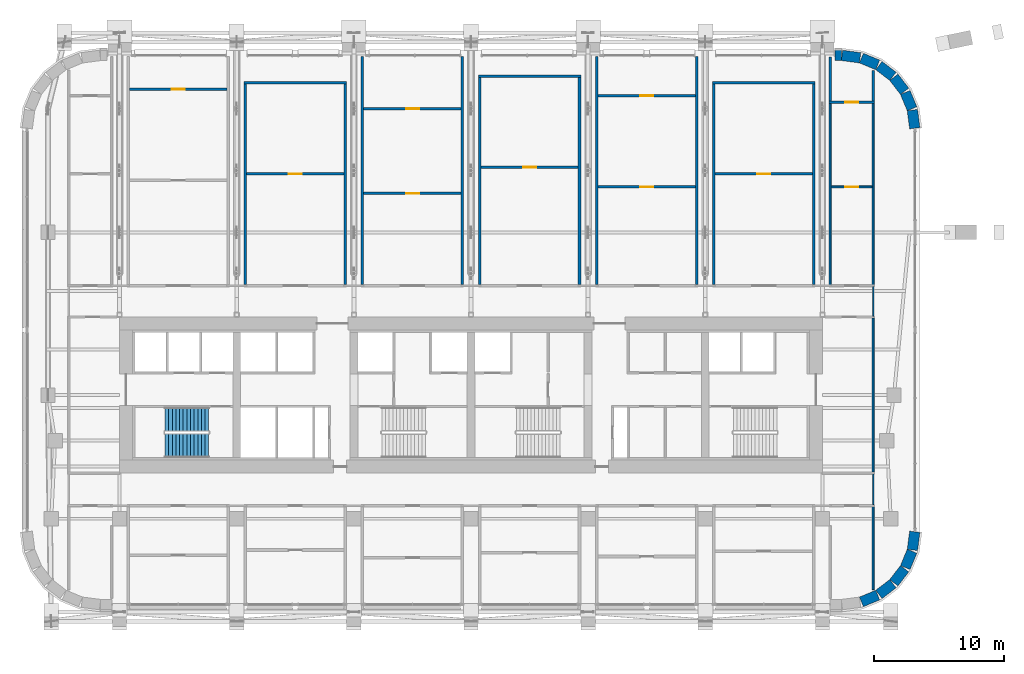
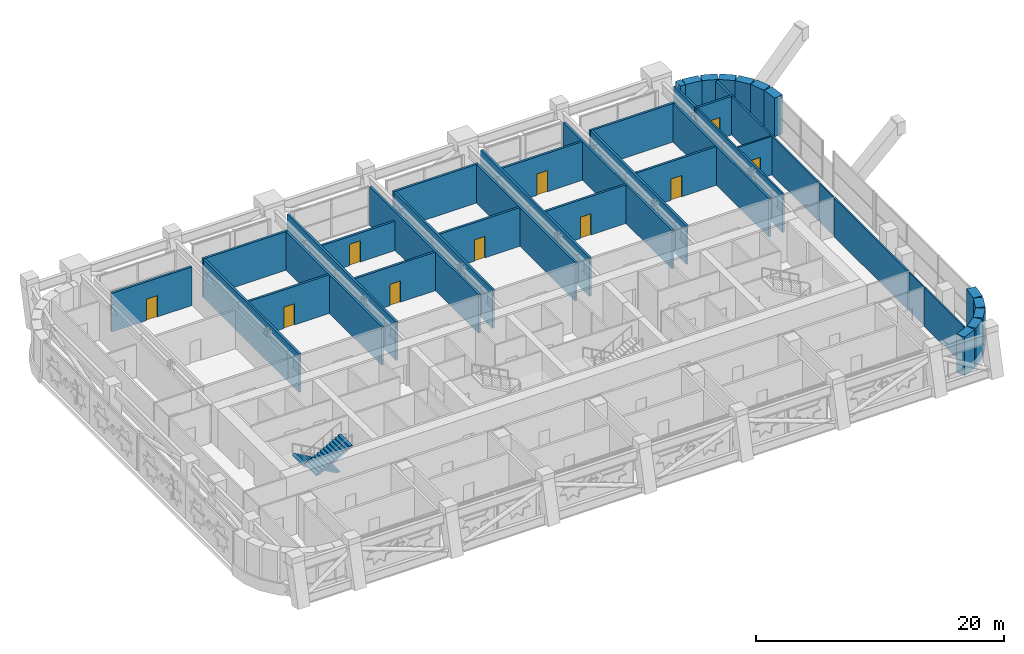
# One storey, part 16 of 27: 43 walls, 10 doors, 2 stair flights, 10 openings, 1 element without a shape of its own.
"""IFC4 building model written with IfcOpenShell, lengths in metres."""

from ifc_helpers import new_model, si_unit, direction, frame, frame_2d, origin, place, context, subcontext, project, spatial, polyline, rectangle, outline, extrude, material, layer, layer_set, type_object, element, fill, aggregate, save


model = new_model("IFC4")

# Units and contexts
model_context = context("Model", 3, precision=1e-05, world=origin(), true_north=direction((0.0, 1.0)))
body_context = subcontext(model_context, "Body", "Model", "MODEL_VIEW")
ifc_project = project(units=[si_unit("LENGTHUNIT", "METRE"), si_unit("AREAUNIT", "SQUARE_METRE"), si_unit("VOLUMEUNIT", "CUBIC_METRE"), si_unit("PLANEANGLEUNIT", "RADIAN"), si_unit("MASSUNIT", "GRAM", prefix="KILO")], contexts=[model_context])

# Site, building, storey
site_placement = place(None, origin())
site = spatial("IfcSite", under=ifc_project, at=site_placement, CompositionType="ELEMENT")
building_placement = place(site_placement, origin())
building = spatial("IfcBuilding", under=site, at=building_placement, Name="Zellij Exchange Tower", CompositionType="ELEMENT")
storey_placement = place(building_placement, frame((0.0, 0.0, 104.5)))
storey = spatial("IfcBuildingStorey", under=building, at=storey_placement, Name="L22", CompositionType="ELEMENT", Elevation=104.5)

# Walls
ifc_material_1 = material(Name="Precast concrete C40/50", Category="concrete")
ifc_layer_1 = layer(ifc_material_1, 0.800048828125)
ifc_layer_set_1 = layer_set([ifc_layer_1], Name="Precast concrete C40/50")
wall_type_1 = type_object("IfcWallType", Name="ENV-EW1 Precast stone-piered wall 800", PredefinedType="SOLIDWALL", material=ifc_layer_set_1)
wall_1_placement = place(storey_placement, frame((29.997314453125, -23.8857421875, 0.0), z_axis=(0.0, 0.0, 1.0), x_axis=(0.923847774587, 0.38276009378, 0.0)))
element("IfcWall", 1, at=wall_1_placement, inside=storey, type_object=wall_type_1, Name="fac.L22.02", PredefinedType="SOLIDWALL", context=body_context, shape_type="SweptSolid", body=[
    extrude(rectangle(XDim=1.35546875, YDim=0.800048828125, at=frame_2d((0.677734375, 0.0))), origin(), (0.0, 0.0, 1.0), 3.800048828125),
])
for number, where, z_axis, x_axis, name in (
    (2, (31.340087890625, -23.314697265625, 0.0), (0.0, 0.0, 1.0), (0.793272915452, 0.608866226366, 0.0), "fac.L22.03"),
    (3, (32.4892578125, -22.41552734375, 0.0), (0.0, 0.0, 1.0), (0.608866226366, 0.793272915452, 0.0), "fac.L22.04"),
):
    element("IfcWall", number, at=place(storey_placement, frame(where, z_axis=z_axis, x_axis=x_axis)), inside=storey, type_object=wall_type_1, Name=name, PredefinedType="SOLIDWALL", context=body_context, shape_type="SweptSolid", body=[
        extrude(rectangle(XDim=1.355712890625, YDim=0.800048828125, at=frame_2d((0.677734375, 0.0))), origin(), (0.0, 0.0, 1.0), 3.800048828125),
    ])
wall_2_placement = place(storey_placement, frame((33.366943359375, -21.24951171875, 0.0), z_axis=(0.0, 0.0, 1.0), x_axis=(0.38276009378, 0.923847774587, 0.0)))
element("IfcWall", 4, at=wall_2_placement, inside=storey, type_object=wall_type_1, Name="fac.L22.05", PredefinedType="SOLIDWALL", context=body_context, shape_type="SweptSolid", body=[
    extrude(rectangle(XDim=1.35546875, YDim=0.800048828125, at=frame_2d((0.677734375, 0.0))), origin(), (0.0, 0.0, 1.0), 3.800048828125),
])
for number, where, z_axis, x_axis, name in (
    (5, (33.912841796875, -19.896240234375, 0.0), (0.0, 0.0, 1.0), (0.130517283865, 0.99144603414, 0.0), "fac.L22.06"),
    (6, (34.0966796875, 12.499755859375, 0.0), (0.0, 0.0, 1.0), (-0.130517283865, 0.99144603414, 0.0), "fac.L22.08"),
):
    element("IfcWall", number, at=place(storey_placement, frame(where, z_axis=z_axis, x_axis=x_axis)), inside=storey, type_object=wall_type_1, Name=name, PredefinedType="SOLIDWALL", context=body_context, shape_type="SweptSolid", body=[
        extrude(rectangle(XDim=1.408447265625, YDim=0.800048828125, at=frame_2d((0.7041015625, 0.0))), origin(), (0.0, 0.0, 1.0), 3.800048828125),
    ])
wall_3_placement = place(storey_placement, frame((33.8857421875, 13.997314453125, 0.0), z_axis=(0.0, 0.0, 1.0), x_axis=(-0.38276009378, 0.923847774587, 0.0)))
element("IfcWall", 7, at=wall_3_placement, inside=storey, type_object=wall_type_1, Name="fac.L22.09", PredefinedType="SOLIDWALL", context=body_context, shape_type="SweptSolid", body=[
    extrude(rectangle(XDim=1.35546875, YDim=0.800048828125, at=frame_2d((0.677734375, 0.0))), origin(), (0.0, 0.0, 1.0), 3.800048828125),
])
for number, where, z_axis, x_axis, name in (
    (8, (33.314697265625, 15.340087890625, 0.0), (0.0, 0.0, 1.0), (-0.608866226366, 0.793272915452, 0.0), "fac.L22.10"),
    (9, (32.41552734375, 16.4892578125, 0.0), (0.0, 0.0, 1.0), (-0.793272915452, 0.608866226366, 0.0), "fac.L22.11"),
):
    element("IfcWall", number, at=place(storey_placement, frame(where, z_axis=z_axis, x_axis=x_axis)), inside=storey, type_object=wall_type_1, Name=name, PredefinedType="SOLIDWALL", context=body_context, shape_type="SweptSolid", body=[
        extrude(rectangle(XDim=1.355712890625, YDim=0.800048828125, at=frame_2d((0.677734375, 0.0))), origin(), (0.0, 0.0, 1.0), 3.800048828125),
    ])
wall_4_placement = place(storey_placement, frame((31.24951171875, 17.366943359375, 0.0), z_axis=(0.0, 0.0, 1.0), x_axis=(-0.923847774587, 0.38276009378, 0.0)))
element("IfcWall", 10, at=wall_4_placement, inside=storey, type_object=wall_type_1, Name="fac.L22.12", PredefinedType="SOLIDWALL", context=body_context, shape_type="SweptSolid", body=[
    extrude(rectangle(XDim=1.35546875, YDim=0.800048828125, at=frame_2d((0.677734375, 0.0))), origin(), (0.0, 0.0, 1.0), 3.800048828125),
])
wall_5_placement = place(storey_placement, frame((29.896240234375, 17.912841796875, 0.0), z_axis=(0.0, 0.0, 1.0), x_axis=(-0.99144603414, 0.130517283865, 0.0)))
element("IfcWall", 11, at=wall_5_placement, inside=storey, type_object=wall_type_1, Name="fac.L22.13", PredefinedType="SOLIDWALL", context=body_context, shape_type="SweptSolid", body=[
    extrude(rectangle(XDim=1.408447265625, YDim=0.800048828125, at=frame_2d((0.7041015625, 0.0))), origin(), (0.0, 0.0, 1.0), 3.800048828125),
])
wall_6_placement = place(storey_placement, frame((28.447509765625, 18.10009765625, 0.0), z_axis=(0.0, 0.0, 1.0), x_axis=(-1.0, 0.0, 0.0)))
element("IfcWall", 12, at=wall_6_placement, inside=storey, type_object=wall_type_1, Name="fac.L22.14a", PredefinedType="SOLIDWALL", context=body_context, shape_type="SweptSolid", body=[
    extrude(rectangle(XDim=0.49755859375, YDim=0.800048828125, at=frame_2d((0.248779296875, 0.0))), origin(), (0.0, 0.0, 1.0), 3.800048828125),
])
ifc_material_2 = material(Name="Blockwork fire wall", Category="masonry")
ifc_layer_2 = layer(ifc_material_2, 0.199951171875)
ifc_layer_set_2 = layer_set([ifc_layer_2], Name="Blockwork fire wall")
wall_type_2 = type_object("IfcWallType", Name="FIT-BLOCKWORK-200-EI120", PredefinedType="PARTITIONING", material=ifc_layer_set_2)
for number, where, z_axis, x_axis, name in (
    (13, (-17.340087890625, 0.5, 0.0), (0.0, 0.0, 1.0), (0.0, 1.0, 0.0), "FIT-BLOCKWORK-200-EI120 057"),
    (14, (-9.659912109375, 0.5, 0.0), (0.0, 0.0, 1.0), (0.0, 1.0, 0.0), "FIT-BLOCKWORK-200-EI120 059"),
):
    element("IfcWall", number, at=place(storey_placement, frame(where, z_axis=z_axis, x_axis=x_axis)), inside=storey, type_object=wall_type_2, Name=name, PredefinedType="PARTITIONING", context=body_context, shape_type="SweptSolid", body=[
        extrude(rectangle(XDim=15.39990234375, YDim=0.199951171875, at=frame_2d((7.699951171875, 0.0))), origin(), (0.0, 0.0, 1.0), 3.800048828125),
    ])
for number, where, z_axis, x_axis, name in (
    (15, (-8.340087890625, 0.5, 0.0), (0.0, 0.0, 1.0), (0.0, 1.0, 0.0), "FIT-BLOCKWORK-200-EI120 061"),
    (16, (-0.659912109375, 0.5, 0.0), (0.0, 0.0, 1.0), (0.0, 1.0, 0.0), "FIT-BLOCKWORK-200-EI120 063"),
):
    element("IfcWall", number, at=place(storey_placement, frame(where, z_axis=z_axis, x_axis=x_axis)), inside=storey, type_object=wall_type_2, Name=name, PredefinedType="PARTITIONING", context=body_context, shape_type="SweptSolid", body=[
        extrude(rectangle(XDim=17.5, YDim=0.199951171875, at=frame_2d((8.75, 0.0))), origin(), (0.0, 0.0, 1.0), 3.800048828125),
    ])
for number, where, z_axis, x_axis, name in (
    (17, (0.659912109375, 0.5, 0.0), (0.0, 0.0, 1.0), (0.0, 1.0, 0.0), "FIT-BLOCKWORK-200-EI120 065"),
    (18, (8.340087890625, 0.5, 0.0), (0.0, 0.0, 1.0), (0.0, 1.0, 0.0), "FIT-BLOCKWORK-200-EI120 067"),
):
    element("IfcWall", number, at=place(storey_placement, frame(where, z_axis=z_axis, x_axis=x_axis)), inside=storey, type_object=wall_type_2, Name=name, PredefinedType="PARTITIONING", context=body_context, shape_type="SweptSolid", body=[
        extrude(rectangle(XDim=15.89990234375, YDim=0.199951171875, at=frame_2d((7.949951171875, 0.0))), origin(), (0.0, 0.0, 1.0), 3.800048828125),
    ])
for number, where, z_axis, x_axis, name in (
    (19, (9.659912109375, 0.5, 0.0), (0.0, 0.0, 1.0), (0.0, 1.0, 0.0), "FIT-BLOCKWORK-200-EI120 069"),
    (20, (17.340087890625, 0.5, 0.0), (0.0, 0.0, 1.0), (0.0, 1.0, 0.0), "FIT-BLOCKWORK-200-EI120 071"),
):
    element("IfcWall", number, at=place(storey_placement, frame(where, z_axis=z_axis, x_axis=x_axis)), inside=storey, type_object=wall_type_2, Name=name, PredefinedType="PARTITIONING", context=body_context, shape_type="SweptSolid", body=[
        extrude(rectangle(XDim=17.5, YDim=0.199951171875, at=frame_2d((8.75, 0.0))), origin(), (0.0, 0.0, 1.0), 3.800048828125),
    ])
for number, where, z_axis, x_axis, name in (
    (21, (18.659912109375, 0.5, 0.0), (0.0, 0.0, 1.0), (0.0, 1.0, 0.0), "FIT-BLOCKWORK-200-EI120 073"),
    (22, (26.340087890625, 0.5, 0.0), (0.0, 0.0, 1.0), (0.0, 1.0, 0.0), "FIT-BLOCKWORK-200-EI120 075"),
):
    element("IfcWall", number, at=place(storey_placement, frame(where, z_axis=z_axis, x_axis=x_axis)), inside=storey, type_object=wall_type_2, Name=name, PredefinedType="PARTITIONING", context=body_context, shape_type="SweptSolid", body=[
        extrude(rectangle(XDim=15.39990234375, YDim=0.199951171875, at=frame_2d((7.699951171875, 0.0))), origin(), (0.0, 0.0, 1.0), 3.800048828125),
    ])

# Wall, opening, door
wall_7_placement = place(storey_placement, frame((-8.239990234375, 7.5, 0.0), z_axis=(0.0, 0.0, 1.0), x_axis=(1.0, 0.0, 0.0)))
wall_7 = element("IfcWall", 23, at=wall_7_placement, inside=storey, type_object=wall_type_2, Name="FIT-BLOCKWORK-200-EI120 079", PredefinedType="PARTITIONING", context=body_context, shape_type="SweptSolid", body=[
    extrude(rectangle(XDim=7.47998046875, YDim=0.199951171875, at=frame_2d((3.739990234375, 0.0))), origin(), (0.0, 0.0, 1.0), 3.800048828125),
])
opening_1_placement = place(wall_7_placement, frame((3.25, 0.0, 0.0)))
opening_1 = element("IfcOpeningElement", 24, at=opening_1_placement, cuts=wall_7, Name="Opening PL22.25", PredefinedType="OPENING", context=body_context, shape_type="SweptSolid", body=[
    extrude(rectangle(XDim=1.0, YDim=2.10009765625, at=frame_2d((0.5, 1.050048828125))), frame((0.0, 0.11181640625, 0.0), z_axis=(0.0, -1.0, 0.0), x_axis=(1.0, 0.0, 0.0)), (0.0, 0.0, 1.0), 0.223876953125),
])
ifc_material_3 = material(Name="Steel fire door set", Category="steel")
door_type = type_object("IfcDoorType", Name="FIT-D4-FIRE-1000X2100", OperationType="SINGLE_SWING_LEFT", PredefinedType="DOOR", material=ifc_material_3)
door_1_placement = place(opening_1_placement, origin())
door_1 = element("IfcDoor", 25, at=door_1_placement, inside=storey, type_object=door_type, Name="Door PL22.25", OperationType="SINGLE_SWING_RIGHT", OverallHeight=2.10009765625, OverallWidth=1.0, PredefinedType="DOOR", context=body_context, shape_type="SweptSolid", body=[
    extrude(rectangle(XDim=1.0, YDim=2.10009765625, at=frame_2d((0.5, 1.050048828125))), frame((0.0, 0.02490234375, 0.0), z_axis=(0.0, -1.0, 0.0), x_axis=(1.0, 0.0, 0.0)), (0.0, 0.0, 1.0), 0.050048828125),
])
fill(opening_1, door_1)

wall_8_placement = place(storey_placement, frame((9.760009765625, 8.0, 0.0), z_axis=(0.0, 0.0, 1.0), x_axis=(1.0, 0.0, 0.0)))
wall_8 = element("IfcWall", 26, at=wall_8_placement, inside=storey, type_object=wall_type_2, Name="FIT-BLOCKWORK-200-EI120 080", PredefinedType="PARTITIONING", context=body_context, shape_type="SweptSolid", body=[
    extrude(rectangle(XDim=7.47998046875, YDim=0.199951171875, at=frame_2d((3.739990234375, 0.0))), origin(), (0.0, 0.0, 1.0), 3.800048828125),
])
opening_2_placement = place(wall_8_placement, frame((3.25, 0.0, 0.0)))
opening_2 = element("IfcOpeningElement", 27, at=opening_2_placement, cuts=wall_8, Name="Opening PL22.26", PredefinedType="OPENING", context=body_context, shape_type="SweptSolid", body=[
    extrude(rectangle(XDim=1.0, YDim=2.10009765625, at=frame_2d((0.5, 1.050048828125))), frame((0.0, 0.11181640625, 0.0), z_axis=(0.0, -1.0, 0.0), x_axis=(1.0, 0.0, 0.0)), (0.0, 0.0, 1.0), 0.223876953125),
])
door_2_placement = place(opening_2_placement, origin())
door_2 = element("IfcDoor", 28, at=door_2_placement, inside=storey, type_object=door_type, Name="Door PL22.26", OperationType="SINGLE_SWING_RIGHT", OverallHeight=2.10009765625, OverallWidth=1.0, PredefinedType="DOOR", context=body_context, shape_type="SweptSolid", body=[
    extrude(rectangle(XDim=1.0, YDim=2.10009765625, at=frame_2d((0.5, 1.050048828125))), frame((0.0, 0.02490234375, 0.0), z_axis=(0.0, -1.0, 0.0), x_axis=(1.0, 0.0, 0.0)), (0.0, 0.0, 1.0), 0.050048828125),
])
fill(opening_2, door_2)

wall_9_placement = place(storey_placement, frame((-17.239990234375, 9.0, 0.0), z_axis=(0.0, 0.0, 1.0), x_axis=(1.0, 0.0, 0.0)))
wall_9 = element("IfcWall", 29, at=wall_9_placement, inside=storey, type_object=wall_type_2, Name="FIT-BLOCKWORK-200-EI120 084", PredefinedType="PARTITIONING", context=body_context, shape_type="SweptSolid", body=[
    extrude(rectangle(XDim=7.47998046875, YDim=0.199951171875, at=frame_2d((3.739990234375, 0.0))), origin(), (0.0, 0.0, 1.0), 3.800048828125),
])
opening_3_placement = place(wall_9_placement, frame((3.25, 0.0, 0.0)))
opening_3 = element("IfcOpeningElement", 30, at=opening_3_placement, cuts=wall_9, Name="Opening PL22.30", PredefinedType="OPENING", context=body_context, shape_type="SweptSolid", body=[
    extrude(rectangle(XDim=1.0, YDim=2.10009765625, at=frame_2d((0.5, 1.050048828125))), frame((0.0, 0.11181640625, 0.0), z_axis=(0.0, -1.0, 0.0), x_axis=(1.0, 0.0, 0.0)), (0.0, 0.0, 1.0), 0.223876953125),
])
door_3_placement = place(opening_3_placement, origin())
door_3 = element("IfcDoor", 31, at=door_3_placement, inside=storey, type_object=door_type, Name="Door PL22.30", OperationType="SINGLE_SWING_RIGHT", OverallHeight=2.10009765625, OverallWidth=1.0, PredefinedType="DOOR", context=body_context, shape_type="SweptSolid", body=[
    extrude(rectangle(XDim=1.0, YDim=2.10009765625, at=frame_2d((0.5, 1.050048828125))), frame((0.0, 0.02490234375, 0.0), z_axis=(0.0, -1.0, 0.0), x_axis=(1.0, 0.0, 0.0)), (0.0, 0.0, 1.0), 0.050048828125),
])
fill(opening_3, door_3)

wall_10_placement = place(storey_placement, frame((18.760009765625, 9.0, 0.0), z_axis=(0.0, 0.0, 1.0), x_axis=(1.0, 0.0, 0.0)))
wall_10 = element("IfcWall", 32, at=wall_10_placement, inside=storey, type_object=wall_type_2, Name="FIT-BLOCKWORK-200-EI120 085", PredefinedType="PARTITIONING", context=body_context, shape_type="SweptSolid", body=[
    extrude(rectangle(XDim=7.47998046875, YDim=0.199951171875, at=frame_2d((3.739990234375, 0.0))), origin(), (0.0, 0.0, 1.0), 3.800048828125),
])
opening_4_placement = place(wall_10_placement, frame((3.25, 0.0, 0.0)))
opening_4 = element("IfcOpeningElement", 33, at=opening_4_placement, cuts=wall_10, Name="Opening PL22.31", PredefinedType="OPENING", context=body_context, shape_type="SweptSolid", body=[
    extrude(rectangle(XDim=1.0, YDim=2.10009765625, at=frame_2d((0.5, 1.050048828125))), frame((0.0, 0.11181640625, 0.0), z_axis=(0.0, -1.0, 0.0), x_axis=(1.0, 0.0, 0.0)), (0.0, 0.0, 1.0), 0.223876953125),
])
door_4_placement = place(opening_4_placement, origin())
door_4 = element("IfcDoor", 34, at=door_4_placement, inside=storey, type_object=door_type, Name="Door PL22.31", OperationType="SINGLE_SWING_RIGHT", OverallHeight=2.10009765625, OverallWidth=1.0, PredefinedType="DOOR", context=body_context, shape_type="SweptSolid", body=[
    extrude(rectangle(XDim=1.0, YDim=2.10009765625, at=frame_2d((0.5, 1.050048828125))), frame((0.0, 0.02490234375, 0.0), z_axis=(0.0, -1.0, 0.0), x_axis=(1.0, 0.0, 0.0)), (0.0, 0.0, 1.0), 0.050048828125),
])
fill(opening_4, door_4)

wall_11_placement = place(storey_placement, frame((0.760009765625, 9.5, 0.0), z_axis=(0.0, 0.0, 1.0), x_axis=(1.0, 0.0, 0.0)))
wall_11 = element("IfcWall", 35, at=wall_11_placement, inside=storey, type_object=wall_type_2, Name="FIT-BLOCKWORK-200-EI120 086", PredefinedType="PARTITIONING", context=body_context, shape_type="SweptSolid", body=[
    extrude(rectangle(XDim=7.47998046875, YDim=0.199951171875, at=frame_2d((3.739990234375, 0.0))), origin(), (0.0, 0.0, 1.0), 3.800048828125),
])
opening_5_placement = place(wall_11_placement, frame((3.25, 0.0, 0.0)))
opening_5 = element("IfcOpeningElement", 36, at=opening_5_placement, cuts=wall_11, Name="Opening PL22.32", PredefinedType="OPENING", context=body_context, shape_type="SweptSolid", body=[
    extrude(rectangle(XDim=1.0, YDim=2.10009765625, at=frame_2d((0.5, 1.050048828125))), frame((0.0, 0.11181640625, 0.0), z_axis=(0.0, -1.0, 0.0), x_axis=(1.0, 0.0, 0.0)), (0.0, 0.0, 1.0), 0.223876953125),
])
door_5_placement = place(opening_5_placement, origin())
door_5 = element("IfcDoor", 37, at=door_5_placement, inside=storey, type_object=door_type, Name="Door PL22.32", OperationType="SINGLE_SWING_RIGHT", OverallHeight=2.10009765625, OverallWidth=1.0, PredefinedType="DOOR", context=body_context, shape_type="SweptSolid", body=[
    extrude(rectangle(XDim=1.0, YDim=2.10009765625, at=frame_2d((0.5, 1.050048828125))), frame((0.0, 0.02490234375, 0.0), z_axis=(0.0, -1.0, 0.0), x_axis=(1.0, 0.0, 0.0)), (0.0, 0.0, 1.0), 0.050048828125),
])
fill(opening_5, door_5)

wall_12_placement = place(storey_placement, frame((-8.239990234375, 14.0, 0.0), z_axis=(0.0, 0.0, 1.0), x_axis=(1.0, 0.0, 0.0)))
wall_12 = element("IfcWall", 38, at=wall_12_placement, inside=storey, type_object=wall_type_2, Name="FIT-BLOCKWORK-200-EI120 087", PredefinedType="PARTITIONING", context=body_context, shape_type="SweptSolid", body=[
    extrude(rectangle(XDim=7.47998046875, YDim=0.199951171875, at=frame_2d((3.739990234375, 0.0))), origin(), (0.0, 0.0, 1.0), 2.867919921875),
])
opening_6_placement = place(wall_12_placement, frame((3.25, 0.0, 0.0)))
opening_6 = element("IfcOpeningElement", 39, at=opening_6_placement, cuts=wall_12, Name="Opening PL22.33", PredefinedType="OPENING", context=body_context, shape_type="SweptSolid", body=[
    extrude(rectangle(XDim=1.0, YDim=2.10009765625, at=frame_2d((0.5, 1.050048828125))), frame((0.0, 0.11181640625, 0.0), z_axis=(0.0, -1.0, 0.0), x_axis=(1.0, 0.0, 0.0)), (0.0, 0.0, 1.0), 0.223876953125),
])
door_6_placement = place(opening_6_placement, origin())
door_6 = element("IfcDoor", 40, at=door_6_placement, inside=storey, type_object=door_type, Name="Door PL22.33", OperationType="SINGLE_SWING_RIGHT", OverallHeight=2.10009765625, OverallWidth=1.0, PredefinedType="DOOR", context=body_context, shape_type="SweptSolid", body=[
    extrude(rectangle(XDim=1.0, YDim=2.10009765625, at=frame_2d((0.5, 1.050048828125))), frame((0.0, 0.02490234375, 0.0), z_axis=(0.0, -1.0, 0.0), x_axis=(1.0, 0.0, 0.0)), (0.0, 0.0, 1.0), 0.050048828125),
])
fill(opening_6, door_6)

wall_13_placement = place(storey_placement, frame((27.5, 14.5, 0.0), z_axis=(0.0, 0.0, 1.0), x_axis=(1.0, 0.0, 0.0)))
wall_13 = element("IfcWall", 41, at=wall_13_placement, inside=storey, type_object=wall_type_2, Name="FIT-BLOCKWORK-200-EI120 088", PredefinedType="PARTITIONING", context=body_context, shape_type="SweptSolid", body=[
    extrude(rectangle(XDim=3.5, YDim=0.199951171875, at=frame_2d((1.75, 0.0))), origin(), (0.0, 0.0, 1.0), 3.800048828125),
])
opening_7_placement = place(wall_13_placement, frame((1.25, 0.0, 0.0)))
opening_7 = element("IfcOpeningElement", 42, at=opening_7_placement, cuts=wall_13, Name="Opening PL22.34", PredefinedType="OPENING", context=body_context, shape_type="SweptSolid", body=[
    extrude(rectangle(XDim=1.0, YDim=2.10009765625, at=frame_2d((0.5, 1.050048828125))), frame((0.0, 0.11181640625, 0.0), z_axis=(0.0, -1.0, 0.0), x_axis=(1.0, 0.0, 0.0)), (0.0, 0.0, 1.0), 0.223876953125),
])
door_7_placement = place(opening_7_placement, origin())
door_7 = element("IfcDoor", 43, at=door_7_placement, inside=storey, type_object=door_type, Name="Door PL22.34", OperationType="SINGLE_SWING_LEFT", OverallHeight=2.10009765625, OverallWidth=1.0, PredefinedType="DOOR", context=body_context, shape_type="SweptSolid", body=[
    extrude(rectangle(XDim=1.0, YDim=2.10009765625, at=frame_2d((0.5, 1.050048828125))), frame((0.0, 0.02490234375, 0.0), z_axis=(0.0, -1.0, 0.0), x_axis=(1.0, 0.0, 0.0)), (0.0, 0.0, 1.0), 0.050048828125),
])
fill(opening_7, door_7)

# Walls
wall_14_placement = place(storey_placement, frame((27.60009765625, 14.60009765625, 0.0), z_axis=(0.0, 0.0, 1.0), x_axis=(0.0, 1.0, 0.0)))
element("IfcWall", 44, at=wall_14_placement, inside=storey, type_object=wall_type_2, Name="FIT-BLOCKWORK-200-EI120 089", PredefinedType="PARTITIONING", context=body_context, shape_type="SweptSolid", body=[
    extrude(rectangle(XDim=3.3798828125, YDim=0.199951171875, at=frame_2d((1.68994140625, 0.0))), origin(), (0.0, 0.0, 1.0), 3.800048828125),
])
wall_15_placement = place(storey_placement, frame((30.89990234375, 14.60009765625, 0.0), z_axis=(0.0, 0.0, 1.0), x_axis=(0.0, 1.0, 0.0)))
element("IfcWall", 45, at=wall_15_placement, inside=storey, type_object=wall_type_2, Name="FIT-BLOCKWORK-200-EI120 090", PredefinedType="PARTITIONING", context=body_context, shape_type="SweptSolid", body=[
    extrude(rectangle(XDim=2.33984375, YDim=0.199951171875, at=frame_2d((1.169921875, 0.0))), origin(), (0.0, 0.0, 1.0), 3.800048828125),
])

# Wall, opening, door
wall_16_placement = place(storey_placement, frame((9.760009765625, 15.0, 0.0), z_axis=(0.0, 0.0, 1.0), x_axis=(1.0, 0.0, 0.0)))
wall_16 = element("IfcWall", 46, at=wall_16_placement, inside=storey, type_object=wall_type_2, Name="FIT-BLOCKWORK-200-EI120 092", PredefinedType="PARTITIONING", context=body_context, shape_type="SweptSolid", body=[
    extrude(rectangle(XDim=7.47998046875, YDim=0.199951171875, at=frame_2d((3.739990234375, 0.0))), origin(), (0.0, 0.0, 1.0), 3.800048828125),
])
opening_8_placement = place(wall_16_placement, frame((3.25, 0.0, 0.0)))
opening_8 = element("IfcOpeningElement", 47, at=opening_8_placement, cuts=wall_16, Name="Opening PL22.36", PredefinedType="OPENING", context=body_context, shape_type="SweptSolid", body=[
    extrude(rectangle(XDim=1.0, YDim=2.10009765625, at=frame_2d((0.5, 1.050048828125))), frame((0.0, 0.11181640625, 0.0), z_axis=(0.0, -1.0, 0.0), x_axis=(1.0, 0.0, 0.0)), (0.0, 0.0, 1.0), 0.223876953125),
])
door_8_placement = place(opening_8_placement, origin())
door_8 = element("IfcDoor", 48, at=door_8_placement, inside=storey, type_object=door_type, Name="Door PL22.36", OperationType="SINGLE_SWING_RIGHT", OverallHeight=2.10009765625, OverallWidth=1.0, PredefinedType="DOOR", context=body_context, shape_type="SweptSolid", body=[
    extrude(rectangle(XDim=1.0, YDim=2.10009765625, at=frame_2d((0.5, 1.050048828125))), frame((0.0, 0.02490234375, 0.0), z_axis=(0.0, -1.0, 0.0), x_axis=(1.0, 0.0, 0.0)), (0.0, 0.0, 1.0), 0.050048828125),
])
fill(opening_8, door_8)

wall_17_placement = place(storey_placement, frame((-26.239990234375, 15.5, 0.0), z_axis=(0.0, 0.0, 1.0), x_axis=(1.0, 0.0, 0.0)))
wall_17 = element("IfcWall", 49, at=wall_17_placement, inside=storey, type_object=wall_type_2, Name="FIT-BLOCKWORK-200-EI120 093", PredefinedType="PARTITIONING", context=body_context, shape_type="SweptSolid", body=[
    extrude(rectangle(XDim=7.47998046875, YDim=0.199951171875, at=frame_2d((3.739990234375, 0.0))), origin(), (0.0, 0.0, 1.0), 3.800048828125),
])
opening_9_placement = place(wall_17_placement, frame((3.25, 0.0, 0.0)))
opening_9 = element("IfcOpeningElement", 50, at=opening_9_placement, cuts=wall_17, Name="Opening PL22.37", PredefinedType="OPENING", context=body_context, shape_type="SweptSolid", body=[
    extrude(rectangle(XDim=1.0, YDim=2.10009765625, at=frame_2d((0.5, 1.050048828125))), frame((0.0, 0.11181640625, 0.0), z_axis=(0.0, -1.0, 0.0), x_axis=(1.0, 0.0, 0.0)), (0.0, 0.0, 1.0), 0.223876953125),
])
door_9_placement = place(opening_9_placement, origin())
door_9 = element("IfcDoor", 51, at=door_9_placement, inside=storey, type_object=door_type, Name="Door PL22.37", OperationType="SINGLE_SWING_RIGHT", OverallHeight=2.10009765625, OverallWidth=1.0, PredefinedType="DOOR", context=body_context, shape_type="SweptSolid", body=[
    extrude(rectangle(XDim=1.0, YDim=2.10009765625, at=frame_2d((0.5, 1.050048828125))), frame((0.0, 0.02490234375, 0.0), z_axis=(0.0, -1.0, 0.0), x_axis=(1.0, 0.0, 0.0)), (0.0, 0.0, 1.0), 0.050048828125),
])
fill(opening_9, door_9)

# Walls
for number, where, z_axis, x_axis, name in (
    (52, (-17.43994140625, 16.0, 0.0), (0.0, 0.0, 1.0), (1.0, 0.0, 0.0), "FIT-BLOCKWORK-200-EI120 094"),
    (53, (18.56005859375, 16.0, 0.0), (0.0, 0.0, 1.0), (1.0, 0.0, 0.0), "FIT-BLOCKWORK-200-EI120 095"),
    (54, (0.56005859375, 16.5, 0.0), (0.0, 0.0, 1.0), (1.0, 0.0, 0.0), "FIT-BLOCKWORK-200-EI120 096"),
):
    element("IfcWall", number, at=place(storey_placement, frame(where, z_axis=z_axis, x_axis=x_axis)), inside=storey, type_object=wall_type_2, Name=name, PredefinedType="PARTITIONING", context=body_context, shape_type="SweptSolid", body=[
        extrude(rectangle(XDim=7.8798828125, YDim=0.199951171875, at=frame_2d((3.93994140625, 0.0))), origin(), (0.0, 0.0, 1.0), 3.800048828125),
    ])
ifc_material_4 = material(Name="Gypsum board partition on steel studs", Category="steel")
ifc_layer_3 = layer(ifc_material_4, 0.10009765625)
ifc_layer_set_3 = layer_set([ifc_layer_3], Name="Gypsum board partition on steel studs")
wall_type_3 = type_object("IfcWallType", Name="FIT-PARTITION-100", PredefinedType="PARTITIONING", material=ifc_layer_set_3)
wall_18_placement = place(storey_placement, frame((30.89990234375, -16.425048828125, 0.0), z_axis=(0.0, 0.0, 1.0), x_axis=(0.0, 1.0, 0.0)))
element("IfcWall", 55, at=wall_18_placement, inside=storey, type_object=wall_type_3, Name="FIT-PARTITION-100 039", PredefinedType="PARTITIONING", context=body_context, shape_type="SweptSolid", body=[
    extrude(rectangle(XDim=2.35009765625, YDim=0.10009765625, at=frame_2d((1.175048828125, 0.0))), origin(), (0.0, 0.0, 1.0), 3.800048828125),
])
wall_19_placement = place(storey_placement, frame((30.89990234375, -1.925048828125, 0.0), z_axis=(0.0, 0.0, 1.0), x_axis=(0.0, 1.0, 0.0)))
element("IfcWall", 56, at=wall_19_placement, inside=storey, type_object=wall_type_3, Name="FIT-PARTITION-100 047", PredefinedType="PARTITIONING", context=body_context, shape_type="SweptSolid", body=[
    extrude(rectangle(XDim=2.25, YDim=0.10009765625, at=frame_2d((1.125, 0.0))), origin(), (0.0, 0.0, 1.0), 3.800048828125),
])
ifc_material_5 = material(Name="Gypsum board shaft-wall partition", Category="gypsum")
ifc_layer_4 = layer(ifc_material_5, 0.14990234375)
ifc_layer_set_4 = layer_set([ifc_layer_4], Name="Gypsum board shaft-wall partition")
wall_type_4 = type_object("IfcWallType", Name="FIT-PARTITION-150-EI60", PredefinedType="PARTITIONING", material=ifc_layer_set_4)
wall_20_placement = place(storey_placement, frame((30.89990234375, -22.93994140625, 0.0), z_axis=(0.0, 0.0, 1.0), x_axis=(0.0, 1.0, 0.0)))
element("IfcWall", 57, at=wall_20_placement, inside=storey, type_object=wall_type_4, Name="FIT-PARTITION-150-EI60 016", PredefinedType="PARTITIONING", context=body_context, shape_type="SweptSolid", body=[
    extrude(rectangle(XDim=6.364990234375, YDim=0.14990234375, at=frame_2d((3.1826171875, 0.0))), origin(), (0.0, 0.0, 1.0), 3.800048828125),
])
wall_21_placement = place(storey_placement, frame((30.89990234375, -13.925048828125, 0.0), z_axis=(0.0, 0.0, 1.0), x_axis=(0.0, 1.0, 0.0)))
element("IfcWall", 58, at=wall_21_placement, inside=storey, type_object=wall_type_4, Name="FIT-PARTITION-150-EI60 043", PredefinedType="PARTITIONING", context=body_context, shape_type="SweptSolid", body=[
    extrude(rectangle(XDim=11.85009765625, YDim=0.14990234375, at=frame_2d((5.925048828125, 0.0))), origin(), (0.0, 0.0, 1.0), 3.800048828125),
])
for number, where, z_axis, x_axis, name in (
    (59, (27.60009765625, 0.47509765625, 0.0), (0.0, 0.0, 1.0), (0.0, 1.0, 0.0), "FIT-PARTITION-150-EI60 077"),
    (60, (30.89990234375, 0.47509765625, 0.0), (0.0, 0.0, 1.0), (0.0, 1.0, 0.0), "FIT-PARTITION-150-EI60 078"),
):
    element("IfcWall", number, at=place(storey_placement, frame(where, z_axis=z_axis, x_axis=x_axis)), inside=storey, type_object=wall_type_4, Name=name, PredefinedType="PARTITIONING", context=body_context, shape_type="SweptSolid", body=[
        extrude(rectangle(XDim=13.9248046875, YDim=0.14990234375, at=frame_2d((6.96240234375, 0.0))), origin(), (0.0, 0.0, 1.0), 3.800048828125),
    ])

# Wall, opening, door
wall_22_placement = place(storey_placement, frame((27.675048828125, 8.0, 0.0), z_axis=(0.0, 0.0, 1.0), x_axis=(1.0, 0.0, 0.0)))
wall_22 = element("IfcWall", 61, at=wall_22_placement, inside=storey, type_object=wall_type_4, Name="FIT-PARTITION-150-EI60 081", PredefinedType="PARTITIONING", context=body_context, shape_type="SweptSolid", body=[
    extrude(rectangle(XDim=3.14990234375, YDim=0.14990234375, at=frame_2d((1.574951171875, 0.0))), origin(), (0.0, 0.0, 1.0), 3.800048828125),
])
opening_10_placement = place(wall_22_placement, frame((1.074951171875, 0.0, 0.0)))
opening_10 = element("IfcOpeningElement", 62, at=opening_10_placement, cuts=wall_22, Name="Opening PL22.27", PredefinedType="OPENING", context=body_context, shape_type="SweptSolid", body=[
    extrude(rectangle(XDim=1.0, YDim=2.10009765625, at=frame_2d((0.5, 1.050048828125))), frame((0.0, 0.0869140625, 0.0), z_axis=(0.0, -1.0, 0.0), x_axis=(1.0, 0.0, 0.0)), (0.0, 0.0, 1.0), 0.173828125),
])
door_10_placement = place(opening_10_placement, origin())
door_10 = element("IfcDoor", 63, at=door_10_placement, inside=storey, type_object=door_type, Name="Door PL22.27", OperationType="SINGLE_SWING_RIGHT", OverallHeight=2.10009765625, OverallWidth=1.0, PredefinedType="DOOR", context=body_context, shape_type="SweptSolid", body=[
    extrude(rectangle(XDim=1.0, YDim=2.10009765625, at=frame_2d((0.5, 1.050048828125))), frame((0.0, 0.02490234375, 0.0), z_axis=(0.0, -1.0, 0.0), x_axis=(1.0, 0.0, 0.0)), (0.0, 0.0, 1.0), 0.050048828125),
])
fill(opening_10, door_10)

# Stair, stair flights
ifc_material_6 = material(Name="Concrete C40/50", Category="concrete")
stair_type = type_object("IfcStairType", Name="CORE-ST exit stair 1850 wide", PredefinedType="HALF_TURN_STAIR", material=ifc_material_6)
stair_placement = place(storey_placement, origin())
stair = element("IfcStair", 64, at=stair_placement, inside=storey, type_object=stair_type, Name="L22 exit stair ST1", PredefinedType="HALF_TURN_STAIR")
stair_flight_type = type_object("IfcStairFlightType", Name="CORE-SF flight 1850 riser 153.8 going 280", PredefinedType="STRAIGHT", material=ifc_material_6)
stair_flight_1_placement = place(storey_placement, frame((-20.14990234375, -9.875, 0.0), z_axis=(0.0, 0.0, 1.0), x_axis=(-1.0, 0.0, 0.0)))
stair_flight_1 = element("IfcStairFlight", 65, at=stair_flight_1_placement, type_object=stair_flight_type, Name="ST1 flight 1", NumberOfRisers=13, NumberOfTreads=12, PredefinedType="STRAIGHT", RiserHeight=0.153846154, TreadLength=0.28, context=body_context, shape_type="SweptSolid", body=[
    extrude(outline(polyline([(0.0, 0.0), (0.0, 0.15380859375), (0.280029296875, 0.15380859375), (0.280029296875, 0.3076171875), (0.56005859375, 0.3076171875), (0.56005859375, 0.46142578125), (0.840087890625, 0.46142578125), (0.840087890625, 0.615478515625), (1.1201171875, 0.615478515625), (1.1201171875, 0.769287109375), (1.39990234375, 0.769287109375), (1.39990234375, 0.923095703125), (1.679931640625, 0.923095703125), (1.679931640625, 1.076904296875), (1.9599609375, 1.076904296875), (1.9599609375, 1.230712890625), (2.239990234375, 1.230712890625), (2.239990234375, 1.384521484375), (2.52001953125, 1.384521484375), (2.52001953125, 1.53857421875), (2.800048828125, 1.53857421875), (2.800048828125, 1.6923828125), (3.080078125, 1.6923828125), (3.080078125, 1.84619140625), (3.360107421875, 1.84619140625), (3.360107421875, 2.0), (3.360107421875, 1.675048828125), (0.311279296875, 0.0), (0.0, 0.0)])), frame((0.0, 0.925048828125, 0.0), z_axis=(0.0, -1.0, 0.0), x_axis=(1.0, 0.0, 0.0)), (0.0, 0.0, 1.0), 1.85009765625),
])
stair_flight_2_placement = place(storey_placement, frame((-23.510009765625, -11.875, 2.0), z_axis=(0.0, 0.0, 1.0), x_axis=(1.0, 0.0, 0.0)))
stair_flight_2 = element("IfcStairFlight", 66, at=stair_flight_2_placement, type_object=stair_flight_type, Name="ST1 flight 2", NumberOfRisers=13, NumberOfTreads=12, PredefinedType="STRAIGHT", RiserHeight=0.153846154, TreadLength=0.28, context=body_context, shape_type="SweptSolid", body=[
    extrude(outline(polyline([(0.0, 0.0), (0.0, 0.15380859375), (0.280029296875, 0.15380859375), (0.280029296875, 0.3076171875), (0.56005859375, 0.3076171875), (0.56005859375, 0.46142578125), (0.840087890625, 0.46142578125), (0.840087890625, 0.615478515625), (1.1201171875, 0.615478515625), (1.1201171875, 0.769287109375), (1.39990234375, 0.769287109375), (1.39990234375, 0.923095703125), (1.679931640625, 0.923095703125), (1.679931640625, 1.076904296875), (1.9599609375, 1.076904296875), (1.9599609375, 1.230712890625), (2.239990234375, 1.230712890625), (2.239990234375, 1.384521484375), (2.52001953125, 1.384521484375), (2.52001953125, 1.53857421875), (2.800048828125, 1.53857421875), (2.800048828125, 1.6923828125), (3.080078125, 1.6923828125), (3.080078125, 1.84619140625), (3.360107421875, 1.84619140625), (3.360107421875, 2.0), (3.360107421875, 1.675048828125), (0.311279296875, 0.0), (0.0, 0.0)])), frame((0.0, 0.925048828125, 0.0), z_axis=(0.0, -1.0, 0.0), x_axis=(1.0, 0.0, 0.0)), (0.0, 0.0, 1.0), 1.85009765625),
])
aggregate(stair, [stair_flight_1, stair_flight_2])

save(model, "model.ifc")
